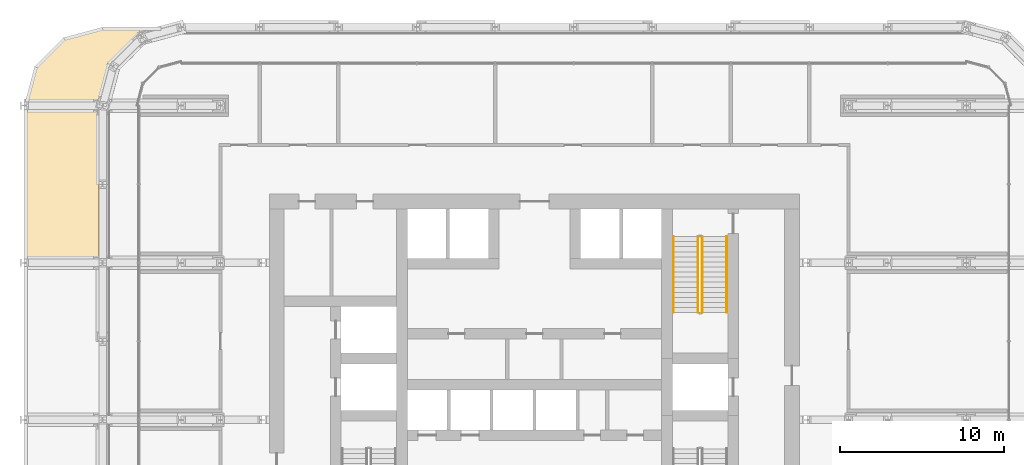
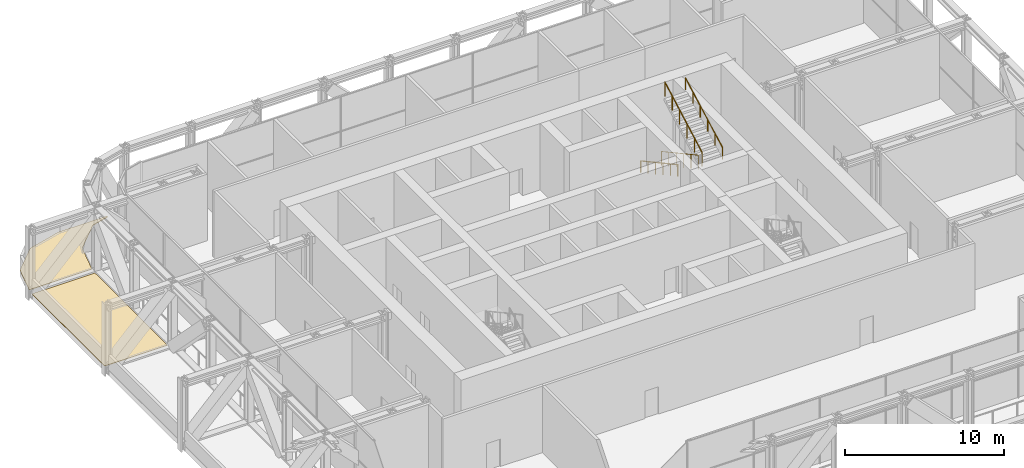
# One storey, part 29 of 30: 4 railings, 2 coverings.
"""IFC4 building model written with IfcOpenShell, lengths in metres."""

import ifcopenshell
import ifcopenshell.guid

model = None  # the IFC model being written
_history = None  # IfcOwnerHistory: only IFC2X3 demands one
_inside = {}  # id of a spatial element -> (the spatial element, [elements in it])
_under = {}  # id of a project, library or spatial element -> (it, [spatial elements below it])
_declared = {}  # id of a project -> (the project, [libraries it declares])
_typed = {}  # id of a type object -> (the type object, [elements of that type])
_made_of = {}  # id of a material, layer set ... -> (it, [elements and type objects made of it])


def new_model(schema):
    """Start an empty IFC model of exactly this schema.

    Asked for "IFC4X3", IfcOpenShell would pick the latest addendum, in which some entities
    have other attributes; the version numbers below select the first issue.
    IFC2X3 requires an IfcOwnerHistory on every rooted entity: one is made here for all.
    """
    global model, _history
    if schema == "IFC4X3":
        model = ifcopenshell.file(schema_version=(4, 3, 0, 0))
    else:
        model = ifcopenshell.file(schema=schema)
    _inside.clear()
    _under.clear()
    _declared.clear()
    _typed.clear()
    _made_of.clear()
    _history = None
    if model.schema == "IFC2X3":
        org = make("IfcOrganization", Name="unknown")
        user = make(
            "IfcPersonAndOrganization",
            ThePerson=make("IfcPerson", FamilyName="unknown"),
            TheOrganization=org,
        )
        app = make(
            "IfcApplication",
            ApplicationDeveloper=org,
            Version="unknown",
            ApplicationFullName="unknown",
            ApplicationIdentifier="unknown",
        )
        _history = make(
            "IfcOwnerHistory",
            OwningUser=user,
            OwningApplication=app,
            ChangeAction="ADDED",
            CreationDate=0,
        )
    return model


def make(cls, **values):
    """One entity of the class cls with the attributes given. An attribute that is None is left unset."""
    return model.create_entity(
        cls, **{name: value for name, value in values.items() if value is not None}
    )


def rooted(cls, **values):
    """An entity with a GlobalId (a new one), such as an element, a storey or a relation."""
    return make(cls, GlobalId=ifcopenshell.guid.new(), OwnerHistory=_history, **values)


def si_unit(unit_type, name, prefix=None):
    """IfcSIUnit, for example si_unit("LENGTHUNIT", "METRE", prefix="MILLI")."""
    return make("IfcSIUnit", UnitType=unit_type, Prefix=prefix, Name=name)


def assignment(units):
    """IfcUnitAssignment: the units of a project."""
    return None if units is None else make("IfcUnitAssignment", Units=units)


def point(xyz):
    """IfcCartesianPoint."""
    return None if xyz is None else make("IfcCartesianPoint", Coordinates=xyz)


def direction(xyz):
    """IfcDirection."""
    return None if xyz is None else make("IfcDirection", DirectionRatios=xyz)


def frame(location, z_axis=None, x_axis=None):
    """IfcAxis2Placement3D, a coordinate frame: its origin and axes. An axis left out is left unset."""
    return make(
        "IfcAxis2Placement3D",
        Location=point(location),
        Axis=direction(z_axis),
        RefDirection=direction(x_axis),
    )


def frame_2d(location, x_axis=None):
    """IfcAxis2Placement2D, a coordinate frame in the plane: its origin and x axis."""
    return make(
        "IfcAxis2Placement2D", Location=point(location), RefDirection=direction(x_axis)
    )


def origin():
    """The frame at (0, 0, 0) with its axes left unset."""
    return frame((0.0, 0.0, 0.0))


def origin_2d():
    """The frame at (0, 0) in the plane with its x axis left unset."""
    return frame_2d((0.0, 0.0))


def place(relative_to, where):
    """IfcLocalPlacement: puts the frame where relative to a parent placement (None: the world)."""
    return make(
        "IfcLocalPlacement", PlacementRelTo=relative_to, RelativePlacement=where
    )


def context(
    kind, dimensions, precision=None, world=None, true_north=None, identifier=None
):
    """IfcGeometricRepresentationContext, for example the 3D "Model" context."""
    return make(
        "IfcGeometricRepresentationContext",
        ContextIdentifier=identifier,
        ContextType=kind,
        CoordinateSpaceDimension=dimensions,
        Precision=precision,
        WorldCoordinateSystem=world,
        TrueNorth=true_north,
    )


def subcontext(parent, identifier, kind, view, scale=None):
    """IfcGeometricRepresentationSubContext, for example "Body" below "Model"."""
    return make(
        "IfcGeometricRepresentationSubContext",
        ContextIdentifier=identifier,
        ContextType=kind,
        ParentContext=parent,
        TargetScale=scale,
        TargetView=view,
    )


def project(units=None, contexts=None):
    """IfcProject with its units and contexts."""
    return rooted(
        "IfcProject",
        Name="project",
        RepresentationContexts=contexts,
        UnitsInContext=assignment(units),
    )


def spatial(cls, under=None, at=None, **own):
    """A site, building, storey or space (cls), placed at a placement, below another one or the project."""
    s = rooted(cls, ObjectPlacement=at, **own)
    if under is not None:
        _under.setdefault(under.id(), (under, []))[1].append(s)
    return s


def polyline(points):
    """IfcPolyline through the points."""
    return make("IfcPolyline", Points=[point(p) for p in points])


def profile(cls, at=None, kind="AREA", **sizes):
    """A parametric profile (cls). Its sizes go by their IFC names, for example OverallWidth=200.0."""
    return make(cls, ProfileType=kind, Position=at, **sizes)


def circle(**sizes):
    """IfcCircleProfileDef."""
    return profile("IfcCircleProfileDef", **sizes)


def outline(outer, holes=None, kind="AREA"):
    """IfcArbitraryClosedProfileDef: a profile drawn as a closed curve; with holes, ...WithVoids."""
    if holes is None:
        return make("IfcArbitraryClosedProfileDef", ProfileType=kind, OuterCurve=outer)
    return make(
        "IfcArbitraryProfileDefWithVoids",
        ProfileType=kind,
        OuterCurve=outer,
        InnerCurves=holes,
    )


def extrude(swept, where, along, depth):
    """IfcExtrudedAreaSolid: the profile swept, set in the frame where, extruded along a direction by depth."""
    return make(
        "IfcExtrudedAreaSolid",
        SweptArea=swept,
        Position=where,
        ExtrudedDirection=direction(along),
        Depth=depth,
    )


def shape(context_of_items, identifier, shape_type, items):
    """IfcShapeRepresentation: the items that make up one representation, for example the "Body"."""
    return make(
        "IfcShapeRepresentation",
        ContextOfItems=context_of_items,
        RepresentationIdentifier=identifier,
        RepresentationType=shape_type,
        Items=items,
    )


def material(Name=None, Category=None):
    """IfcMaterial."""
    return make("IfcMaterial", Name=Name, Category=Category)


def layer(
    of_material, thickness, ventilated=None, Name=None, Category=None, Priority=None
):
    """IfcMaterialLayer: one layer of a wall or slab, of a material (None: an air gap)."""
    return make(
        "IfcMaterialLayer",
        Material=of_material,
        LayerThickness=thickness,
        IsVentilated=ventilated,
        Name=Name,
        Category=Category,
        Priority=Priority,
    )


def layer_set(layers, Name=None):
    """IfcMaterialLayerSet."""
    return make("IfcMaterialLayerSet", MaterialLayers=layers, LayerSetName=Name)


def made_of(thing, what):
    """Note that an element or type object is made of a material, layer set ...; save() writes the relation."""
    if what is not None:
        _made_of.setdefault(what.id(), (what, []))[1].append(thing)
    return thing


def type_object(cls, material=None, **own):
    """A type object (cls), such as IfcWallType, which elements share."""
    return made_of(rooted(cls, **own), material)


def element(
    cls,
    number,
    at=None,
    inside=None,
    cuts=None,
    type_object=None,
    material=None,
    context=None,
    identifier="Body",
    shape_type=None,
    held_by="IfcProductDefinitionShape",
    body=None,
    shapes=None,
    **own,
):
    """One element of the class cls, such as IfcWall. Its Tag is "e" and its number.

    at: its placement. inside: the storey or other place that contains it. cuts: it is an
    opening in that element (IfcRelVoidsElement). A single representation is given by context,
    identifier, shape_type and body (its items); several are given by shapes. held_by: the class
    of the entity that holds the representations. save() writes the other relations.
    """
    e = rooted(cls, Tag="e%d" % number, ObjectPlacement=at, **own)
    if body is not None:
        shapes = [shape(context, identifier, shape_type, body)]
    if shapes is not None:
        e.Representation = make(held_by, Representations=shapes)
    if inside is not None:
        _inside.setdefault(inside.id(), (inside, []))[1].append(e)
    if cuts is not None:
        rooted(
            "IfcRelVoidsElement", RelatingBuildingElement=cuts, RelatedOpeningElement=e
        )
    if type_object is not None:
        _typed.setdefault(type_object.id(), (type_object, []))[1].append(e)
    return made_of(e, material)


def aggregate(whole, parts):
    """IfcRelAggregates: a whole, such as a stair, and the parts it consists of."""
    return rooted("IfcRelAggregates", RelatingObject=whole, RelatedObjects=parts)


def save(model, path):
    """Write the relations noted so far, then the file.

    IfcRelAggregates (storeys below a building ...), IfcRelContainedInSpatialStructure (elements
    in a storey), IfcRelDefinesByType, IfcRelAssociatesMaterial and IfcRelDeclares: one each for
    every whole, place, type object, material and project.
    """
    for whole, parts in _under.values():
        aggregate(whole, parts)
    for where, things in _inside.values():
        rooted(
            "IfcRelContainedInSpatialStructure",
            RelatedElements=things,
            RelatingStructure=where,
        )
    for kind, things in _typed.values():
        rooted("IfcRelDefinesByType", RelatedObjects=things, RelatingType=kind)
    for what, things in _made_of.values():
        rooted("IfcRelAssociatesMaterial", RelatedObjects=things, RelatingMaterial=what)
    for by, libraries in _declared.values():
        rooted("IfcRelDeclares", RelatingContext=by, RelatedDefinitions=libraries)
    model.write(path)


model = new_model("IFC4")

# Units and contexts
model_context = context("Model", 3, precision=1e-05, world=origin(), true_north=direction((0.0, 1.0)))
body_context = subcontext(model_context, "Body", "Model", "MODEL_VIEW")
ifc_project = project(units=[si_unit("LENGTHUNIT", "METRE"), si_unit("AREAUNIT", "SQUARE_METRE"), si_unit("VOLUMEUNIT", "CUBIC_METRE"), si_unit("PLANEANGLEUNIT", "RADIAN"), si_unit("MASSUNIT", "GRAM", prefix="KILO")], contexts=[model_context])

# Site, building, storey
site_placement = place(None, origin())
site = spatial("IfcSite", under=ifc_project, at=site_placement, CompositionType="ELEMENT")
building_placement = place(site_placement, origin())
building = spatial("IfcBuilding", under=site, at=building_placement, Name="Madar Terraces", CompositionType="ELEMENT")
storey_placement = place(building_placement, frame((0.0, 0.0, 53.89990234375)))
storey = spatial("IfcBuildingStorey", under=building, at=storey_placement, Name="L13", CompositionType="ELEMENT", Elevation=53.89990234375)

# Railings
ifc_material_1 = material(Name="Stainless steel railing", Category="steel")
railing_type_1 = type_object("IfcRailingType", Name="Stair guard 1100", PredefinedType="GUARDRAIL", material=ifc_material_1)
railing_1_placement = place(storey_placement, frame((41.199951171875, 35.199951171875, 0.1689453125)))
element("IfcRailing", 1, at=railing_1_placement, inside=storey, type_object=railing_type_1, Name="L13 ST2 stair guard 1", PredefinedType="GUARDRAIL", context=body_context, shape_type="SweptSolid", body=[
    extrude(circle(Radius=0.02392578125, at=origin_2d()), frame((0.0, 0.0, 1.076171875), z_axis=(0.0, -0.878297076953, 0.478115304728), x_axis=(1.0, 0.0, 0.0)), (0.0, 0.0, 1.0), 5.294189453125),
    extrude(circle(Radius=0.02099609375, at=origin_2d()), origin(), (0.0, 0.0, 1.0), 1.052001953125),
    extrude(circle(Radius=0.02099609375, at=origin_2d()), frame((0.0, -0.929931640625, 0.50634765625)), (0.0, 0.0, 1.0), 1.052001953125),
    extrude(circle(Radius=0.02099609375, at=origin_2d()), frame((0.0, -1.85986328125, 1.012451171875)), (0.0, 0.0, 1.0), 1.052001953125),
    extrude(circle(Radius=0.02099609375, at=origin_2d()), frame((0.0, -2.7900390625, 1.518798828125)), (0.0, 0.0, 1.0), 1.052001953125),
    extrude(circle(Radius=0.02099609375, at=origin_2d()), frame((0.0, -3.719970703125, 2.02490234375)), (0.0, 0.0, 1.0), 1.052001953125),
    extrude(circle(Radius=0.02099609375, at=origin_2d()), frame((0.0, -4.64990234375, 2.53125)), (0.0, 0.0, 1.0), 1.052001953125),
])
railing_2_placement = place(storey_placement, frame((41.449951171875, 30.550048828125, 2.868896484375)))
element("IfcRailing", 2, at=railing_2_placement, inside=storey, type_object=railing_type_1, Name="L13 ST2 stair guard 3", PredefinedType="GUARDRAIL", context=body_context, shape_type="SweptSolid", body=[
    extrude(circle(Radius=0.02392578125, at=origin_2d()), frame((0.0, 0.0, 1.076171875), z_axis=(0.0, 0.878297076953, 0.478115304728), x_axis=(-1.0, 0.0, 0.0)), (0.0, 0.0, 1.0), 5.294189453125),
    extrude(circle(Radius=0.02099609375, at=origin_2d()), origin(), (0.0, 0.0, 1.0), 1.052001953125),
    extrude(circle(Radius=0.02099609375, at=origin_2d()), frame((0.0, 0.929931640625, 0.50634765625)), (0.0, 0.0, 1.0), 1.052001953125),
    extrude(circle(Radius=0.02099609375, at=origin_2d()), frame((0.0, 1.85986328125, 1.012451171875)), (0.0, 0.0, 1.0), 1.052001953125),
    extrude(circle(Radius=0.02099609375, at=origin_2d()), frame((0.0, 2.7900390625, 1.518798828125)), (0.0, 0.0, 1.0), 1.052001953125),
    extrude(circle(Radius=0.02099609375, at=origin_2d()), frame((0.0, 3.719970703125, 2.02490234375)), (0.0, 0.0, 1.0), 1.052001953125),
    extrude(circle(Radius=0.02099609375, at=origin_2d()), frame((0.0, 4.64990234375, 2.53125)), (0.0, 0.0, 1.0), 1.052001953125),
])
ifc_material_2 = material(Name="Stainless steel railing", Category="steel")
railing_type_2 = type_object("IfcRailingType", Name="Stair handrail 900", PredefinedType="HANDRAIL", material=ifc_material_2)
railing_3_placement = place(storey_placement, frame((39.699951171875, 35.199951171875, 0.1689453125)))
element("IfcRailing", 3, at=railing_3_placement, inside=storey, type_object=railing_type_2, Name="L13 ST2 stair handrail 1", PredefinedType="HANDRAIL", context=body_context, shape_type="SweptSolid", body=[
    extrude(circle(Radius=0.02392578125, at=origin_2d()), frame((0.0, 0.0, 0.8759765625), z_axis=(0.0, -0.878297076953, 0.478115304728), x_axis=(1.0, 0.0, 0.0)), (0.0, 0.0, 1.0), 5.294189453125),
    extrude(circle(Radius=0.02099609375, at=origin_2d()), origin(), (0.0, 0.0, 1.0), 0.851806640625),
    extrude(circle(Radius=0.02099609375, at=origin_2d()), frame((0.0, -0.929931640625, 0.50634765625)), (0.0, 0.0, 1.0), 0.851806640625),
    extrude(circle(Radius=0.02099609375, at=origin_2d()), frame((0.0, -1.85986328125, 1.012451171875)), (0.0, 0.0, 1.0), 0.851806640625),
    extrude(circle(Radius=0.02099609375, at=origin_2d()), frame((0.0, -2.7900390625, 1.518798828125)), (0.0, 0.0, 1.0), 0.851806640625),
    extrude(circle(Radius=0.02099609375, at=origin_2d()), frame((0.0, -3.719970703125, 2.02490234375)), (0.0, 0.0, 1.0), 0.851806640625),
    extrude(circle(Radius=0.02099609375, at=origin_2d()), frame((0.0, -4.64990234375, 2.53125)), (0.0, 0.0, 1.0), 0.851806640625),
])
railing_4_placement = place(storey_placement, frame((42.949951171875, 30.550048828125, 2.868896484375)))
element("IfcRailing", 4, at=railing_4_placement, inside=storey, type_object=railing_type_2, Name="L13 ST2 stair handrail 2", PredefinedType="HANDRAIL", context=body_context, shape_type="SweptSolid", body=[
    extrude(circle(Radius=0.02392578125, at=origin_2d()), frame((0.0, 0.0, 0.8759765625), z_axis=(0.0, 0.878297076953, 0.478115304728), x_axis=(-1.0, 0.0, 0.0)), (0.0, 0.0, 1.0), 5.294189453125),
    extrude(circle(Radius=0.02099609375, at=origin_2d()), origin(), (0.0, 0.0, 1.0), 0.851806640625),
    extrude(circle(Radius=0.02099609375, at=origin_2d()), frame((0.0, 0.929931640625, 0.50634765625)), (0.0, 0.0, 1.0), 0.851806640625),
    extrude(circle(Radius=0.02099609375, at=origin_2d()), frame((0.0, 1.85986328125, 1.012451171875)), (0.0, 0.0, 1.0), 0.851806640625),
    extrude(circle(Radius=0.02099609375, at=origin_2d()), frame((0.0, 2.7900390625, 1.518798828125)), (0.0, 0.0, 1.0), 0.851806640625),
    extrude(circle(Radius=0.02099609375, at=origin_2d()), frame((0.0, 3.719970703125, 2.02490234375)), (0.0, 0.0, 1.0), 0.851806640625),
    extrude(circle(Radius=0.02099609375, at=origin_2d()), frame((0.0, 4.64990234375, 2.53125)), (0.0, 0.0, 1.0), 0.851806640625),
])

# Coverings
ifc_material_3 = material(Name="Porcelain paving slabs on pedestals")
ifc_layer = layer(ifc_material_3, 0.0400390625)
ifc_layer_set = layer_set([ifc_layer], Name="Terrace paving 40")
covering_type = type_object("IfcCoveringType", Name="Terrace paving 40", PredefinedType="FLOORING", material=ifc_layer_set)
covering_1_placement = place(storey_placement, origin())
element("IfcCovering", 5, at=covering_1_placement, inside=storey, type_object=covering_type, Name="Terrace paving", PredefinedType="FLOORING", context=body_context, shape_type="SweptSolid", body=[
    extrude(outline(polyline([(0.002197265625, 42.92822265625), (0.00390625, 42.932861328125), (0.005859375, 42.937255859375), (0.00830078125, 42.941650390625), (0.01123046875, 42.945556640625), (0.0146484375, 42.94921875), (0.018310546875, 42.952392578125), (0.022216796875, 42.955322265625), (0.0263671875, 42.9580078125), (0.031005859375, 42.9599609375), (0.035400390625, 42.961669921875), (0.040283203125, 42.962890625), (0.045166015625, 42.96337890625), (0.050048828125, 42.9638671875), (4.513916015625, 42.9638671875), (4.518798828125, 42.96337890625), (4.5234375, 42.962890625), (4.5283203125, 42.961669921875), (4.532958984375, 42.9599609375), (4.537353515625, 42.9580078125), (4.54150390625, 42.955322265625), (4.54541015625, 42.952392578125), (4.549072265625, 42.94921875), (4.552490234375, 42.945556640625), (4.555419921875, 42.941650390625), (4.557861328125, 42.937255859375), (4.56005859375, 42.932861328125), (4.5615234375, 42.92822265625), (4.562744140625, 42.923583984375), (4.5634765625, 42.918701171875), (4.563720703125, 42.913818359375), (4.563720703125, 33.88623046875), (4.5634765625, 33.88134765625), (4.562744140625, 33.87646484375), (4.5615234375, 33.87158203125), (4.56005859375, 33.8671875), (4.557861328125, 33.86279296875), (4.555419921875, 33.8583984375), (4.552490234375, 33.8544921875), (4.549072265625, 33.850830078125), (4.54541015625, 33.84765625), (4.54150390625, 33.844482421875), (4.537353515625, 33.842041015625), (4.532958984375, 33.840087890625), (4.5283203125, 33.83837890625), (4.5234375, 33.837158203125), (4.518798828125, 33.83642578125), (4.513916015625, 33.836181640625), (0.050048828125, 33.836181640625), (0.045166015625, 33.83642578125), (0.040283203125, 33.837158203125), (0.035400390625, 33.83837890625), (0.031005859375, 33.840087890625), (0.0263671875, 33.842041015625), (0.022216796875, 33.844482421875), (0.018310546875, 33.84765625), (0.0146484375, 33.850830078125), (0.01123046875, 33.8544921875), (0.00830078125, 33.8583984375), (0.005859375, 33.86279296875), (0.00390625, 33.8671875), (0.002197265625, 33.87158203125), (0.0009765625, 33.87646484375), (0.000244140625, 33.88134765625), (0.0, 33.88623046875), (0.0, 42.913818359375), (0.000244140625, 42.918701171875), (0.0009765625, 42.923583984375), (0.002197265625, 42.92822265625)])), origin(), (0.0, 0.0, 1.0), 0.0400390625),
])
covering_2_placement = place(storey_placement, origin())
element("IfcCovering", 6, at=covering_2_placement, inside=storey, type_object=covering_type, Name="Terrace paving", PredefinedType="FLOORING", context=body_context, shape_type="SweptSolid", body=[
    extrude(outline(polyline([(0.64599609375, 45.601318359375), (0.64892578125, 45.605712890625), (0.652587890625, 45.609619140625), (2.390380859375, 47.347412109375), (2.394287109375, 47.35107421875), (2.398681640625, 47.35400390625), (2.4033203125, 47.356689453125), (2.407958984375, 47.35888671875), (2.412841796875, 47.3603515625), (4.793701171875, 47.998291015625), (4.7978515625, 47.999267578125), (4.80224609375, 47.999755859375), (4.806640625, 48.0), (8.3076171875, 48.0), (8.3125, 47.999755859375), (8.3173828125, 47.9990234375), (8.322265625, 47.997802734375), (8.326904296875, 47.99609375), (8.331298828125, 47.993896484375), (8.335693359375, 47.991455078125), (8.339599609375, 47.98828125), (8.34326171875, 47.985107421875), (8.346435546875, 47.981201171875), (8.349365234375, 47.977294921875), (8.351806640625, 47.972900390625), (8.35400390625, 47.968505859375), (8.355712890625, 47.9638671875), (8.356689453125, 47.958984375), (8.357421875, 47.9541015625), (8.357421875, 47.94921875), (8.357177734375, 47.944091796875), (8.3564453125, 47.939208984375), (8.35498046875, 47.9345703125), (8.353271484375, 47.9296875), (8.35107421875, 47.92529296875), (8.348388671875, 47.921142578125), (8.34521484375, 47.917236328125), (8.341796875, 47.913818359375), (8.338134765625, 47.910400390625), (8.333984375, 47.90771484375), (8.32958984375, 47.9052734375), (8.3251953125, 47.9033203125), (8.320556640625, 47.901611328125), (7.0791015625, 47.569091796875), (7.077880859375, 47.568603515625), (7.076904296875, 47.56787109375), (5.232177734375, 45.72314453125), (5.231201171875, 45.72216796875), (5.23095703125, 45.720947265625), (4.628662109375, 43.473388671875), (4.627197265625, 43.468505859375), (4.625, 43.4638671875), (4.62255859375, 43.45947265625), (4.61962890625, 43.455322265625), (4.616455078125, 43.45166015625), (4.61279296875, 43.447998046875), (4.60888671875, 43.445068359375), (4.6044921875, 43.4423828125), (4.60009765625, 43.440185546875), (4.59521484375, 43.4384765625), (4.59033203125, 43.437255859375), (4.58544921875, 43.4365234375), (4.580322265625, 43.436279296875), (0.12841796875, 43.436279296875), (0.12353515625, 43.4365234375), (0.118896484375, 43.43701171875), (0.1142578125, 43.438232421875), (0.109619140625, 43.43994140625), (0.105224609375, 43.44189453125), (0.10107421875, 43.4443359375), (0.09716796875, 43.447265625), (0.093505859375, 43.450439453125), (0.09033203125, 43.453857421875), (0.08740234375, 43.457763671875), (0.084716796875, 43.4619140625), (0.082763671875, 43.466064453125), (0.080810546875, 43.470703125), (0.07958984375, 43.475341796875), (0.078857421875, 43.47998046875), (0.07861328125, 43.48486328125), (0.07861328125, 43.48974609375), (0.0791015625, 43.494384765625), (0.080078125, 43.499267578125), (0.6396484375, 45.587158203125), (0.64111328125, 45.592041015625), (0.643310546875, 45.5966796875), (0.64599609375, 45.601318359375)])), origin(), (0.0, 0.0, 1.0), 0.0400390625),
])

save(model, "model.ifc")
